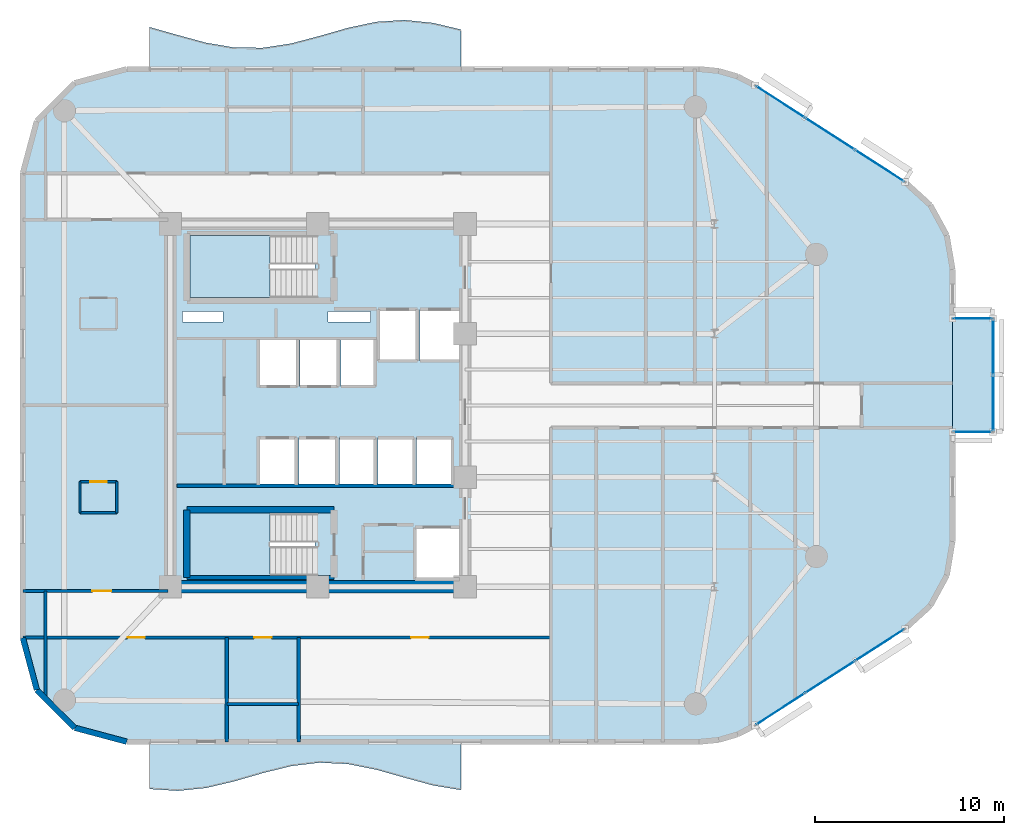
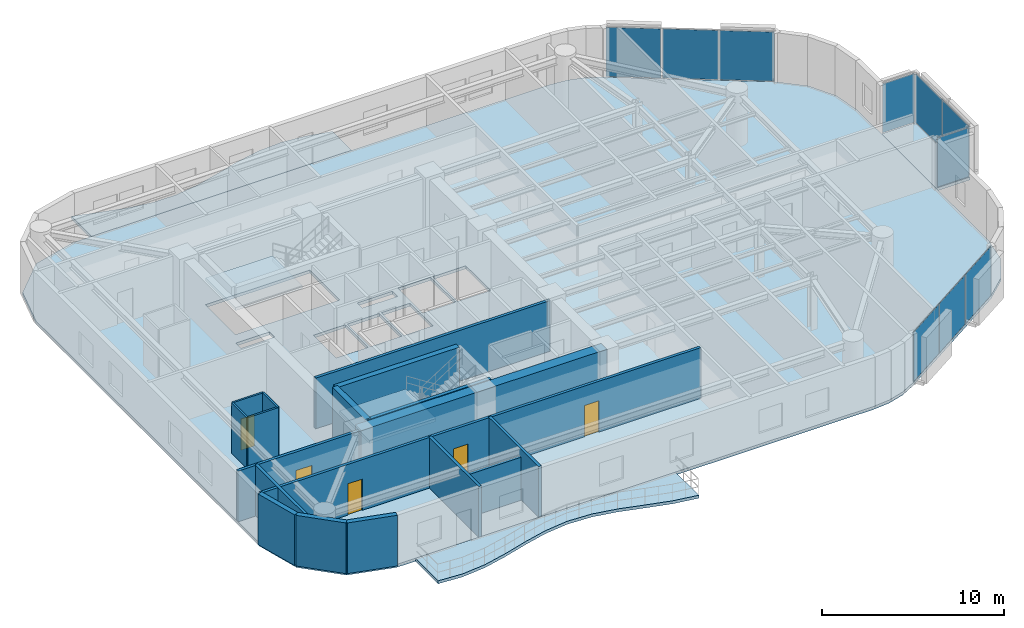
# One storey, part 7 of 13: 18 walls, 10 plates, 6 slabs, 5 doors, 5 openings, 7 elements without a shape of their own.
"""IFC4 building model written with IfcOpenShell, lengths in metres."""

from ifc_helpers import new_model, si_unit, direction, frame, frame_2d, origin, origin_2d, place, context, subcontext, project, spatial, polyline, rectangle, outline, extrude, material, layer, layer_set, type_object, element, fill, aggregate, save


model = new_model("IFC4")

# Units and contexts
model_context = context("Model", 3, precision=1e-05, world=origin(), true_north=direction((0.0, 1.0)))
body_context = subcontext(model_context, "Body", "Model", "MODEL_VIEW")
ifc_project = project(units=[si_unit("LENGTHUNIT", "METRE"), si_unit("AREAUNIT", "SQUARE_METRE"), si_unit("VOLUMEUNIT", "CUBIC_METRE"), si_unit("PLANEANGLEUNIT", "RADIAN"), si_unit("MASSUNIT", "GRAM", prefix="KILO")], contexts=[model_context])

# Site, building, storey
site_placement = place(None, origin())
site = spatial("IfcSite", under=ifc_project, at=site_placement, CompositionType="ELEMENT")
building_placement = place(site_placement, origin())
building = spatial("IfcBuilding", under=site, at=building_placement, Name="An Khanh Terracotta Commons", CompositionType="ELEMENT")
storey_placement = place(building_placement, frame((0.0, 0.0, 183.39990234375)))
storey = spatial("IfcBuildingStorey", under=building, at=storey_placement, Name="L48", CompositionType="ELEMENT", Elevation=183.39990234375)

# Curtain wall, plates
ifc_material_1 = material(Name="Anodised Aluminium 6063-T6", Category="aluminium")
ifc_layer_1 = layer(ifc_material_1, 0.2099609375, Name="Anodised Aluminium 6063-T6")
ifc_layer_set_1 = layer_set([ifc_layer_1], Name="Anodised Aluminium 6063-T6")
curtain_wall_type_1 = type_object("IfcCurtainWallType", Name="CW-SYS-03", PredefinedType="USERDEFINED", material=ifc_layer_set_1)
curtain_wall_1_placement = place(storey_placement, origin())
curtain_wall_1 = element("IfcCurtainWall", 1, at=curtain_wall_1_placement, inside=storey, type_object=curtain_wall_type_1, Name="L48 CW-03 Unitised Curtain Wall CW-L48-08", ObjectType="UNITISED CURTAIN WALL", PredefinedType="USERDEFINED")
ifc_material_2 = material(Name="Acoustic Laminated Low-E Glazing", Category="glass")
ifc_layer_2 = layer(ifc_material_2, 0.035888671875, Name="Acoustic Laminated Low-E Glazing")
ifc_layer_set_2 = layer_set([ifc_layer_2], Name="Acoustic Laminated Low-E Glazing")
plate_type_1 = type_object("IfcPlateType", Name="CWP-IGU-36", PredefinedType="CURTAIN_PANEL", material=ifc_layer_set_2)
plate_1_placement = place(storey_placement, frame((53.894287109375, 7.935546875, 0.05029296875), z_axis=(0.0, 0.0, 1.0), x_axis=(0.840702081986, 0.541497931062, 0.0)))
plate_1 = element("IfcPlate", 2, at=plate_1_placement, type_object=plate_type_1, Name="CW-03 panel 1.1", PredefinedType="CURTAIN_PANEL", context=body_context, shape_type="SweptSolid", body=[
    extrude(rectangle(XDim=3.034423828125, YDim=0.035888671875, at=origin_2d()), origin(), (0.0, 0.0, 1.0), 3.300048828125),
])
plate_2_placement = place(storey_placement, frame((56.51904296875, 9.6259765625, 0.05029296875), z_axis=(0.0, 0.0, 1.0), x_axis=(0.840702081986, 0.541497931062, 0.0)))
plate_2 = element("IfcPlate", 3, at=plate_2_placement, type_object=plate_type_1, Name="CW-03 panel 2.1", PredefinedType="CURTAIN_PANEL", context=body_context, shape_type="SweptSolid", body=[
    extrude(rectangle(XDim=3.0693359375, YDim=0.035888671875, at=origin_2d()), origin(), (0.0, 0.0, 1.0), 3.300048828125),
])
plate_3_placement = place(storey_placement, frame((59.1435546875, 11.31640625, 0.05029296875), z_axis=(0.0, 0.0, 1.0), x_axis=(0.840702081986, 0.541497931062, 0.0)))
plate_3 = element("IfcPlate", 4, at=plate_3_placement, type_object=plate_type_1, Name="CW-03 panel 3.1", PredefinedType="CURTAIN_PANEL", context=body_context, shape_type="SweptSolid", body=[
    extrude(rectangle(XDim=3.034423828125, YDim=0.035888671875, at=origin_2d()), origin(), (0.0, 0.0, 1.0), 3.300048828125),
])
aggregate(curtain_wall_1, [plate_1, plate_2, plate_3])

curtain_wall_2_placement = place(storey_placement, origin())
curtain_wall_2 = element("IfcCurtainWall", 5, at=curtain_wall_2_placement, inside=storey, type_object=curtain_wall_type_1, Name="L48 CW-03 Unitised Curtain Wall CW-L48-16", ObjectType="UNITISED CURTAIN WALL", PredefinedType="USERDEFINED")
plate_4_placement = place(storey_placement, frame((59.1435546875, 36.68359375, 0.05029296875), z_axis=(0.0, 0.0, 1.0), x_axis=(-0.840702081986, 0.541497931062, 0.0)))
plate_4 = element("IfcPlate", 6, at=plate_4_placement, type_object=plate_type_1, Name="CW-03 panel 1.1", PredefinedType="CURTAIN_PANEL", context=body_context, shape_type="SweptSolid", body=[
    extrude(rectangle(XDim=3.034423828125, YDim=0.035888671875, at=origin_2d()), origin(), (0.0, 0.0, 1.0), 3.300048828125),
])
plate_5_placement = place(storey_placement, frame((56.51904296875, 38.3740234375, 0.05029296875), z_axis=(0.0, 0.0, 1.0), x_axis=(-0.840702081986, 0.541497931062, 0.0)))
plate_5 = element("IfcPlate", 7, at=plate_5_placement, type_object=plate_type_1, Name="CW-03 panel 2.1", PredefinedType="CURTAIN_PANEL", context=body_context, shape_type="SweptSolid", body=[
    extrude(rectangle(XDim=3.0693359375, YDim=0.035888671875, at=origin_2d()), origin(), (0.0, 0.0, 1.0), 3.300048828125),
])
plate_6_placement = place(storey_placement, frame((53.894287109375, 40.064453125, 0.05029296875), z_axis=(0.0, 0.0, 1.0), x_axis=(-0.840702081986, 0.541497931062, 0.0)))
plate_6 = element("IfcPlate", 8, at=plate_6_placement, type_object=plate_type_1, Name="CW-03 panel 3.1", PredefinedType="CURTAIN_PANEL", context=body_context, shape_type="SweptSolid", body=[
    extrude(rectangle(XDim=3.034423828125, YDim=0.035888671875, at=origin_2d()), origin(), (0.0, 0.0, 1.0), 3.300048828125),
])
aggregate(curtain_wall_2, [plate_4, plate_5, plate_6])

ifc_layer_3 = layer(ifc_material_1, 0.239990234375, Name="Anodised Aluminium 6063-T6")
ifc_layer_set_3 = layer_set([ifc_layer_3], Name="Anodised Aluminium 6063-T6")
curtain_wall_type_2 = type_object("IfcCurtainWallType", Name="CW-SYS-04", PredefinedType="USERDEFINED", material=ifc_layer_set_3)
curtain_wall_3_placement = place(storey_placement, origin())
curtain_wall_3 = element("IfcCurtainWall", 9, at=curtain_wall_3_placement, inside=storey, type_object=curtain_wall_type_2, Name="L48 CW-04 Unitised Curtain Wall CW-L48-EBOX-1", ObjectType="UNITISED CURTAIN WALL", PredefinedType="USERDEFINED")
ifc_material_3 = material(Name="Triple-Silver Sky-Lobby Glazing", Category="glass")
ifc_layer_4 = layer(ifc_material_3, 0.0400390625, Name="Triple-Silver Sky-Lobby Glazing")
ifc_layer_set_4 = layer_set([ifc_layer_4], Name="Triple-Silver Sky-Lobby Glazing")
plate_type_2 = type_object("IfcPlateType", Name="CWP-IGU-40", PredefinedType="CURTAIN_PANEL", material=ifc_layer_set_4)
plate_7_placement = place(storey_placement, frame((65.14990234375, 24.1162109375, 0.06005859375), z_axis=(0.0, 0.0, 1.0), x_axis=(0.0, 1.0, 0.0)))
plate_7 = element("IfcPlate", 10, at=plate_7_placement, type_object=plate_type_2, Name="CW-04 panel 1.1", PredefinedType="CURTAIN_PANEL", context=body_context, shape_type="SweptSolid", body=[
    extrude(rectangle(XDim=2.902587890625, YDim=0.0400390625, at=origin_2d()), origin(), (0.0, 0.0, 1.0), 3.280029296875),
])
plate_8_placement = place(storey_placement, frame((65.14990234375, 27.083740234375, 0.06005859375), z_axis=(0.0, 0.0, 1.0), x_axis=(0.0, 1.0, 0.0)))
plate_8 = element("IfcPlate", 11, at=plate_8_placement, type_object=plate_type_2, Name="CW-04 panel 2.1", PredefinedType="CURTAIN_PANEL", context=body_context, shape_type="SweptSolid", body=[
    extrude(rectangle(XDim=2.902587890625, YDim=0.0400390625, at=origin_2d()), origin(), (0.0, 0.0, 1.0), 3.280029296875),
])
aggregate(curtain_wall_3, [plate_7, plate_8])

# Curtain wall, plate
curtain_wall_4_placement = place(storey_placement, origin())
curtain_wall_4 = element("IfcCurtainWall", 12, at=curtain_wall_4_placement, inside=storey, type_object=curtain_wall_type_2, Name="L48 CW-04 Unitised Curtain Wall CW-L48-EBOX-2", ObjectType="UNITISED CURTAIN WALL", PredefinedType="USERDEFINED")
plate_9_placement = place(storey_placement, frame((64.074951171875, 22.60009765625, 0.06005859375), z_axis=(0.0, 0.0, 1.0), x_axis=(1.0, 0.0, 0.0)))
plate_9 = element("IfcPlate", 13, at=plate_9_placement, type_object=plate_type_2, Name="CW-04 panel 1.1", PredefinedType="CURTAIN_PANEL", context=body_context, shape_type="SweptSolid", body=[
    extrude(rectangle(XDim=2.02001953125, YDim=0.0400390625, at=origin_2d()), origin(), (0.0, 0.0, 1.0), 3.280029296875),
])
aggregate(curtain_wall_4, [plate_9])

curtain_wall_5_placement = place(storey_placement, origin())
curtain_wall_5 = element("IfcCurtainWall", 14, at=curtain_wall_5_placement, inside=storey, type_object=curtain_wall_type_2, Name="L48 CW-04 Unitised Curtain Wall CW-L48-EBOX-3", ObjectType="UNITISED CURTAIN WALL", PredefinedType="USERDEFINED")
plate_10_placement = place(storey_placement, frame((64.074951171875, 28.60009765625, 0.06005859375), z_axis=(0.0, 0.0, 1.0), x_axis=(-1.0, 0.0, 0.0)))
plate_10 = element("IfcPlate", 15, at=plate_10_placement, type_object=plate_type_2, Name="CW-04 panel 1.1", PredefinedType="CURTAIN_PANEL", context=body_context, shape_type="SweptSolid", body=[
    extrude(rectangle(XDim=2.02001953125, YDim=0.0400390625, at=origin_2d()), origin(), (0.0, 0.0, 1.0), 3.280029296875),
])
aggregate(curtain_wall_5, [plate_10])

# Slabs
ifc_material_4 = material(Name="Concrete C40/50", Category="concrete")
ifc_layer_5 = layer(ifc_material_4, 0.199951171875, Name="Concrete C40/50")
ifc_layer_set_5 = layer_set([ifc_layer_5], Name="Concrete C40/50")
slab_type_1 = type_object("IfcSlabType", Name="SLAB-BALC-200", PredefinedType="FLOOR", material=ifc_layer_set_5)
slab_1_placement = place(storey_placement, frame((0.0, 0.0, -0.199951171875)))
element("IfcSlab", 16, at=slab_1_placement, inside=storey, type_object=slab_type_1, Name="L48 S Sinusoidal Wave Balcony Slab", PredefinedType="FLOOR", context=body_context, shape_type="SweptSolid", body=[
    extrude(outline(polyline([(20.5, 6.199951171875), (20.5, 3.699951171875), (22.0, 3.60205078125), (23.5, 3.7548828125), (25.0, 4.10888671875), (26.5, 4.5439453125), (28.0, 4.9140625), (29.5, 5.093994140625), (31.0, 5.02294921875), (32.5, 4.72509765625), (34.0, 4.301025390625), (35.5, 3.89306640625), (37.0, 3.639892578125), (37.0, 6.199951171875), (20.5, 6.199951171875)])), origin(), (0.0, 0.0, 1.0), 0.199951171875),
])
slab_2_placement = place(storey_placement, frame((0.0, 0.0, -0.199951171875)))
element("IfcSlab", 17, at=slab_2_placement, inside=storey, type_object=slab_type_1, Name="L48 N Sinusoidal Wave Balcony Slab", PredefinedType="FLOOR", context=body_context, shape_type="SweptSolid", body=[
    extrude(outline(polyline([(37.0, 41.800048828125), (37.0, 43.89111328125), (35.5, 44.2451171875), (34.0, 44.39794921875), (32.5, 44.300048828125), (31.0, 43.98193359375), (29.5, 43.552001953125), (28.0, 43.155029296875), (26.5, 42.926025390625), (25.0, 42.93994140625), (23.5, 43.193115234375), (22.0, 43.60107421875), (20.5, 44.02490234375), (20.5, 41.800048828125), (37.0, 41.800048828125)])), origin(), (0.0, 0.0, 1.0), 0.199951171875),
])

# Stair, slab
ifc_material_5 = material(Name="Precast concrete C40/50", Category="concrete")
stair_type = type_object("IfcStairType", Name="STAIR-CORE-1550", PredefinedType="HALF_TURN_STAIR", material=ifc_material_5)
stair_1_placement = place(storey_placement, origin())
stair_1 = element("IfcStair", 18, at=stair_1_placement, inside=storey, type_object=stair_type, Name="L48 Core Smokeproof Exit Stair ST-01", PredefinedType="HALF_TURN_STAIR")
ifc_layer_6 = layer(ifc_material_4, 0.18994140625, Name="Concrete C40/50")
ifc_layer_set_6 = layer_set([ifc_layer_6], Name="Concrete C40/50")
slab_type_2 = type_object("IfcSlabType", Name="SLAB-LANDING-190", PredefinedType="LANDING", material=ifc_layer_set_6)
slab_3_placement = place(storey_placement, frame((0.0, 0.0, 1.60009765625)))
slab_3 = element("IfcSlab", 19, at=slab_3_placement, type_object=slab_type_2, Name="ST-01 landing 1", PredefinedType="LANDING", context=body_context, shape_type="SweptSolid", body=[
    extrude(outline(polyline([(26.889892578125, 33.0), (22.64990234375, 33.0), (22.64990234375, 29.699951171875), (26.889892578125, 29.699951171875), (26.889892578125, 33.0)])), origin(), (0.0, 0.0, 1.0), 0.199951171875),
])
aggregate(stair_1, [slab_3])

stair_2_placement = place(storey_placement, origin())
stair_2 = element("IfcStair", 20, at=stair_2_placement, inside=storey, type_object=stair_type, Name="L48 Core Smokeproof Exit Stair ST-02", PredefinedType="HALF_TURN_STAIR")
slab_4_placement = place(storey_placement, frame((0.0, 0.0, 1.60009765625)))
slab_4 = element("IfcSlab", 21, at=slab_4_placement, type_object=slab_type_2, Name="ST-02 landing 1", PredefinedType="LANDING", context=body_context, shape_type="SweptSolid", body=[
    extrude(outline(polyline([(26.889892578125, 18.300048828125), (22.64990234375, 18.300048828125), (22.64990234375, 15.0), (26.889892578125, 15.0), (26.889892578125, 18.300048828125)])), origin(), (0.0, 0.0, 1.0), 0.199951171875),
])
aggregate(stair_2, [slab_4])

# Slabs
ifc_layer_7 = layer(ifc_material_4, 0.199951171875, Name="Concrete C40/50")
ifc_layer_set_7 = layer_set([ifc_layer_7], Name="Concrete C40/50")
slab_type_3 = type_object("IfcSlabType", Name="SLAB-TYP-200", PredefinedType="FLOOR", material=ifc_layer_set_7)
slab_5_placement = place(storey_placement, frame((0.0, 0.0, -0.199951171875)))
element("IfcSlab", 22, at=slab_5_placement, inside=storey, type_object=slab_type_3, Name="L48 Structural Floor Slab", PredefinedType="FLOOR", context=body_context, shape_type="SweptSolid", body=[
    extrude(outline(polyline([(13.800048828125, 11.699951171875), (14.537109375, 8.949951171875), (16.550048828125, 6.93701171875), (19.300048828125, 6.199951171875), (49.58203125, 6.199951171875), (50.625, 6.300048828125), (51.6298828125, 6.594970703125), (52.56005859375, 7.075927734375), (60.47802734375, 12.176025390625), (61.825927734375, 13.403076171875), (62.697998046875, 15.0029296875), (63.0, 16.800048828125), (63.0, 31.199951171875), (62.697998046875, 32.9970703125), (61.825927734375, 34.596923828125), (60.47802734375, 35.823974609375), (52.56005859375, 40.924072265625), (51.6298828125, 41.405029296875), (50.625, 41.699951171875), (49.58203125, 41.800048828125), (19.300048828125, 41.800048828125), (16.550048828125, 41.06298828125), (14.537109375, 39.050048828125), (13.800048828125, 36.300048828125), (13.800048828125, 11.699951171875)]), holes=[polyline([(22.64990234375, 29.699951171875), (29.27001953125, 29.699951171875), (29.27001953125, 33.0), (22.64990234375, 33.0), (22.64990234375, 29.699951171875)]), polyline([(22.64990234375, 15.0), (29.27001953125, 15.0), (29.27001953125, 18.300048828125), (22.64990234375, 18.300048828125), (22.64990234375, 15.0)]), polyline([(32.60009765625, 26.35009765625), (34.679931640625, 26.35009765625), (34.679931640625, 29.080078125), (32.60009765625, 29.080078125), (32.60009765625, 26.35009765625)]), polyline([(34.820068359375, 26.35009765625), (36.89990234375, 26.35009765625), (36.89990234375, 29.080078125), (34.820068359375, 29.080078125), (34.820068359375, 26.35009765625)]), polyline([(34.550048828125, 14.800048828125), (36.89990234375, 14.800048828125), (36.89990234375, 17.550048828125), (34.550048828125, 17.550048828125), (34.550048828125, 14.800048828125)]), polyline([(26.320068359375, 25.0), (28.340087890625, 25.0), (28.340087890625, 27.5), (26.320068359375, 27.5), (26.320068359375, 25.0)]), polyline([(28.47998046875, 25.0), (30.5, 25.0), (30.5, 27.5), (28.47998046875, 27.5), (28.47998046875, 25.0)]), polyline([(26.280029296875, 19.800048828125), (28.280029296875, 19.800048828125), (28.280029296875, 22.300048828125), (26.280029296875, 22.300048828125), (26.280029296875, 19.800048828125)]), polyline([(28.419921875, 19.800048828125), (30.419921875, 19.800048828125), (30.419921875, 22.300048828125), (28.419921875, 22.300048828125), (28.419921875, 19.800048828125)]), polyline([(30.639892578125, 25.0), (32.4599609375, 25.0), (32.4599609375, 27.5), (30.639892578125, 27.5), (30.639892578125, 25.0)]), polyline([(30.56005859375, 19.800048828125), (32.4599609375, 19.800048828125), (32.4599609375, 22.300048828125), (30.56005859375, 22.300048828125), (30.56005859375, 19.800048828125)]), polyline([(32.60009765625, 19.800048828125), (34.5, 19.800048828125), (34.5, 22.300048828125), (32.60009765625, 22.300048828125), (32.60009765625, 19.800048828125)]), polyline([(34.639892578125, 19.800048828125), (36.5400390625, 19.800048828125), (36.5400390625, 22.300048828125), (34.639892578125, 22.300048828125), (34.639892578125, 19.800048828125)]), polyline([(22.25, 28.419921875), (24.39990234375, 28.419921875), (24.39990234375, 28.97998046875), (22.25, 28.97998046875), (22.25, 28.419921875)]), polyline([(29.949951171875, 28.419921875), (32.199951171875, 28.419921875), (32.199951171875, 28.97998046875), (29.949951171875, 28.97998046875), (29.949951171875, 28.419921875)])]), origin(), (0.0, 0.0, 1.0), 0.199951171875),
])
slab_6_placement = place(storey_placement, frame((0.0, 0.0, -0.199951171875)))
element("IfcSlab", 23, at=slab_6_placement, inside=storey, type_object=slab_type_3, Name="L48 Shifted Social Kitchen Box Floor Slab", PredefinedType="FLOOR", context=body_context, shape_type="SweptSolid", body=[
    extrude(outline(polyline([(63.0, 22.60009765625), (65.14990234375, 22.60009765625), (65.14990234375, 28.60009765625), (63.0, 28.60009765625), (63.0, 22.60009765625)])), origin(), (0.0, 0.0, 1.0), 0.199951171875),
])

# Walls
ifc_material_6 = material(Name="Concrete C60/75", Category="concrete")
ifc_layer_8 = layer(ifc_material_6, 0.64990234375, Name="Concrete C60/75")
ifc_layer_set_8 = layer_set([ifc_layer_8], Name="Concrete C60/75")
wall_type_1 = type_object("IfcWallType", Name="WALL-CORE-650", PredefinedType="SHEAR", material=ifc_layer_set_8)
wall_1_placement = place(storey_placement, frame((37.199951171875, 14.39990234375, 0.0), z_axis=(0.0, 0.0, 1.0), x_axis=(-1.0, 0.0, 0.0)))
element("IfcWall", 24, at=wall_1_placement, inside=storey, type_object=wall_type_1, Name="L48 Core Wall CWALL-L48-S", PredefinedType="SHEAR", context=body_context, shape_type="SweptSolid", body=[
    extrude(rectangle(XDim=15.599853515625, YDim=0.64990234375, at=frame_2d((7.7998046875, 0.0))), origin(), (0.0, 0.0, 1.0), 3.400146484375),
])
ifc_material_7 = material(Name="Fire-Rated Gypsum Board on Steel Stud", Category="steel")
ifc_layer_9 = layer(ifc_material_7, 0.179931640625, Name="Fire-Rated Gypsum Board on Steel Stud")
ifc_layer_set_9 = layer_set([ifc_layer_9], Name="Fire-Rated Gypsum Board on Steel Stud")
wall_type_2 = type_object("IfcWallType", Name="WALL-CORR-180", PredefinedType="PARTITIONING", material=ifc_layer_set_9)
wall_2_placement = place(storey_placement, frame((21.949951171875, 19.760009765625, 0.0), z_axis=(0.0, 0.0, 1.0), x_axis=(1.0, 0.0, 0.0)))
element("IfcWall", 25, at=wall_2_placement, inside=storey, type_object=wall_type_2, Name="L48 Core Wall SVW-L48-N", PredefinedType="PARTITIONING", context=body_context, shape_type="SweptSolid", body=[
    extrude(rectangle(XDim=14.8701171875, YDim=0.179931640625, at=frame_2d((7.43505859375, 0.0))), origin(), (0.0, 0.0, 1.0), 3.400146484375),
])
wall_3_placement = place(storey_placement, frame((24.60009765625, 8.199951171875, 0.0), z_axis=(0.0, 0.0, 1.0), x_axis=(1.0, 0.0, 0.0)))
element("IfcWall", 26, at=wall_3_placement, inside=storey, type_object=wall_type_2, Name="L48 Interior Partition IW-L48-E001", PredefinedType="PARTITIONING", context=body_context, shape_type="SweptSolid", body=[
    extrude(rectangle(XDim=3.7998046875, YDim=0.179931640625, at=frame_2d((1.89990234375, 0.0))), origin(), (0.0, 0.0, 1.0), 2.882080078125),
])

# Wall, openings, doors
wall_4_placement = place(storey_placement, frame((13.800048828125, 11.719970703125, 0.0), z_axis=(0.0, 0.0, 1.0), x_axis=(1.0, 0.0, 0.0)))
wall_4 = element("IfcWall", 27, at=wall_4_placement, inside=storey, type_object=wall_type_2, Name="L48 Interior Partition IW-L48-E002", PredefinedType="PARTITIONING", context=body_context, shape_type="SweptSolid", body=[
    extrude(rectangle(XDim=27.949951171875, YDim=0.179931640625, at=frame_2d((13.97509765625, 0.0))), origin(), (0.0, 0.0, 1.0), 3.400146484375),
])
opening_1_placement = place(wall_4_placement, frame((12.239990234375, 0.0, 0.0)))
opening_1 = element("IfcOpeningElement", 28, at=opening_1_placement, cuts=wall_4, Name="Opening D-RM", PredefinedType="OPENING", context=body_context, shape_type="SweptSolid", body=[
    extrude(rectangle(XDim=0.919921875, YDim=2.10009765625, at=frame_2d((0.4599609375, 1.050048828125))), frame((0.0, 0.099853515625, 0.0), z_axis=(0.0, -1.0, 0.0), x_axis=(1.0, 0.0, 0.0)), (0.0, 0.0, 1.0), 0.199951171875),
])
opening_2_placement = place(wall_4_placement, frame((5.5400390625, 0.0, 0.0)))
opening_2 = element("IfcOpeningElement", 29, at=opening_2_placement, cuts=wall_4, Name="Opening D-RM", PredefinedType="OPENING", context=body_context, shape_type="SweptSolid", body=[
    extrude(rectangle(XDim=0.919921875, YDim=2.10009765625, at=frame_2d((0.4599609375, 1.050048828125))), frame((0.0, 0.099853515625, 0.0), z_axis=(0.0, -1.0, 0.0), x_axis=(1.0, 0.0, 0.0)), (0.0, 0.0, 1.0), 0.199951171875),
])
opening_3_placement = place(wall_4_placement, frame((20.554931640625, 0.0, 0.0)))
opening_3 = element("IfcOpeningElement", 30, at=opening_3_placement, cuts=wall_4, Name="Opening D-RM", PredefinedType="OPENING", context=body_context, shape_type="SweptSolid", body=[
    extrude(rectangle(XDim=0.919921875, YDim=2.10009765625, at=frame_2d((0.4599609375, 1.050048828125))), frame((0.0, 0.099853515625, 0.0), z_axis=(0.0, -1.0, 0.0), x_axis=(1.0, 0.0, 0.0)), (0.0, 0.0, 1.0), 0.199951171875),
])
ifc_material_8 = material(Name="Engineered Hardwood Timber Leaf", Category="wood")
door_type_1 = type_object("IfcDoorType", Name="DOOR-INT-920", OperationType="NOTDEFINED", PredefinedType="DOOR", material=ifc_material_8)
door_1_placement = place(opening_1_placement, origin())
door_1 = element("IfcDoor", 31, at=door_1_placement, inside=storey, type_object=door_type_1, Name="L48 HKP Housekeeping Linen Store Door", OperationType="SINGLE_SWING_LEFT", OverallHeight=2.10009765625, OverallWidth=0.919921875, PredefinedType="DOOR", context=body_context, shape_type="SweptSolid", body=[
    extrude(rectangle(XDim=0.919921875, YDim=2.10009765625, at=frame_2d((0.4599609375, 1.050048828125))), frame((0.0, 0.02490234375, 0.0), z_axis=(0.0, -1.0, 0.0), x_axis=(1.0, 0.0, 0.0)), (0.0, 0.0, 1.0), 0.050048828125),
])
fill(opening_1, door_1)
door_2_placement = place(opening_2_placement, origin())
door_2 = element("IfcDoor", 32, at=door_2_placement, inside=storey, type_object=door_type_1, Name="L48 SW1 Communal Kitchen and Dining Door", OperationType="SINGLE_SWING_RIGHT", OverallHeight=2.10009765625, OverallWidth=0.919921875, PredefinedType="DOOR", context=body_context, shape_type="SweptSolid", body=[
    extrude(rectangle(XDim=0.919921875, YDim=2.10009765625, at=frame_2d((0.4599609375, 1.050048828125))), frame((0.0, 0.02490234375, 0.0), z_axis=(0.0, -1.0, 0.0), x_axis=(1.0, 0.0, 0.0)), (0.0, 0.0, 1.0), 0.050048828125),
])
fill(opening_2, door_2)
door_3_placement = place(opening_3_placement, origin())
door_3 = element("IfcDoor", 33, at=door_3_placement, inside=storey, type_object=door_type_1, Name="L48 SWE Music Lounge Door", OperationType="SINGLE_SWING_LEFT", OverallHeight=2.10009765625, OverallWidth=0.919921875, PredefinedType="DOOR", context=body_context, shape_type="SweptSolid", body=[
    extrude(rectangle(XDim=0.919921875, YDim=2.10009765625, at=frame_2d((0.4599609375, 1.050048828125))), frame((0.0, 0.02490234375, 0.0), z_axis=(0.0, -1.0, 0.0), x_axis=(1.0, 0.0, 0.0)), (0.0, 0.0, 1.0), 0.050048828125),
])
fill(opening_3, door_3)

# Wall, opening, door
wall_5_placement = place(storey_placement, frame((13.800048828125, 14.179931640625, 0.0), z_axis=(0.0, 0.0, 1.0), x_axis=(1.0, 0.0, 0.0)))
wall_5 = element("IfcWall", 34, at=wall_5_placement, inside=storey, type_object=wall_type_2, Name="L48 Interior Partition IW-L48-E003", PredefinedType="PARTITIONING", context=body_context, shape_type="SweptSolid", body=[
    extrude(rectangle(XDim=7.679931640625, YDim=0.179931640625, at=frame_2d((3.83984375, 0.0))), origin(), (0.0, 0.0, 1.0), 3.400146484375),
])
opening_4_placement = place(wall_5_placement, frame((3.679931640625, 0.0, 0.0)))
opening_4 = element("IfcOpeningElement", 35, at=opening_4_placement, cuts=wall_5, Name="Opening D-UN", PredefinedType="OPENING", context=body_context, shape_type="SweptSolid", body=[
    extrude(rectangle(XDim=1.0, YDim=2.14990234375, at=frame_2d((0.5, 1.074951171875))), frame((0.0, 0.099853515625, 0.0), z_axis=(0.0, -1.0, 0.0), x_axis=(1.0, 0.0, 0.0)), (0.0, 0.0, 1.0), 0.199951171875),
])
ifc_material_9 = material(Name="Solid-Core Hardwood Acoustic Fire Door", Category="wood")
door_type_2 = type_object("IfcDoorType", Name="DOOR-UNIT-1000", OperationType="NOTDEFINED", PredefinedType="DOOR", material=ifc_material_9)
door_4_placement = place(opening_4_placement, origin())
door_4 = element("IfcDoor", 36, at=door_4_placement, inside=storey, type_object=door_type_2, Name="L48 WW1 Kitchenette and Studio Apartment Door", OperationType="SINGLE_SWING_RIGHT", OverallHeight=2.14990234375, OverallWidth=1.0, PredefinedType="DOOR", context=body_context, shape_type="SweptSolid", body=[
    extrude(rectangle(XDim=1.0, YDim=2.14990234375, at=frame_2d((0.5, 1.074951171875))), frame((0.0, 0.02490234375, 0.0), z_axis=(0.0, -1.0, 0.0), x_axis=(1.0, 0.0, 0.0)), (0.0, 0.0, 1.0), 0.050048828125),
])
fill(opening_4, door_4)

# Walls
wall_6_placement = place(storey_placement, frame((15.0, 8.487060546875, 0.0), z_axis=(0.0, 0.0, 1.0), x_axis=(0.0, 1.0, 0.0)))
element("IfcWall", 37, at=wall_6_placement, inside=storey, type_object=wall_type_2, Name="L48 Interior Partition IW-L48-E010", PredefinedType="PARTITIONING", context=body_context, shape_type="SweptSolid", body=[
    extrude(rectangle(XDim=5.69287109375, YDim=0.179931640625, at=frame_2d((2.846435546875, 0.0))), origin(), (0.0, 0.0, 1.0), 3.400146484375),
])
for number, where, z_axis, x_axis, name in (
    (38, (24.60009765625, 6.199951171875, 0.0), (0.0, 0.0, 1.0), (0.0, 1.0, 0.0), "L48 Interior Partition IW-L48-E012"),
    (39, (28.39990234375, 6.199951171875, 0.0), (0.0, 0.0, 1.0), (0.0, 1.0, 0.0), "L48 Interior Partition IW-L48-E015"),
):
    element("IfcWall", number, at=place(storey_placement, frame(where, z_axis=z_axis, x_axis=x_axis)), inside=storey, type_object=wall_type_2, Name=name, PredefinedType="PARTITIONING", context=body_context, shape_type="SweptSolid", body=[
        extrude(rectangle(XDim=5.52001953125, YDim=0.179931640625, at=frame_2d((2.760009765625, 0.0))), origin(), (0.0, 0.0, 1.0), 3.400146484375),
    ])
ifc_layer_10 = layer(ifc_material_5, 0.300048828125, Name="Precast concrete C40/50")
ifc_layer_set_10 = layer_set([ifc_layer_10], Name="Precast concrete C40/50")
wall_type_3 = type_object("IfcWallType", Name="WALL-EXT-300", PredefinedType="SOLIDWALL", material=ifc_layer_set_10)
wall_7_placement = place(storey_placement, frame((13.800048828125, 11.699951171875, 0.0), z_axis=(0.0, 0.0, 1.0), x_axis=(0.258884674387, -0.965908238586, 0.0)))
element("IfcWall", 40, at=wall_7_placement, inside=storey, type_object=wall_type_3, Name="L48 Insulated Terracotta Exterior Wall 1", PredefinedType="SOLIDWALL", context=body_context, shape_type="SweptSolid", body=[
    extrude(rectangle(XDim=2.84716796875, YDim=0.300048828125, at=frame_2d((1.423583984375, 0.0))), origin(), (0.0, 0.0, 1.0), 3.400146484375),
])
wall_8_placement = place(storey_placement, frame((14.537109375, 8.949951171875, 0.0), z_axis=(0.0, 0.0, 1.0), x_axis=(0.707106781187, -0.707106781187, 0.0)))
element("IfcWall", 41, at=wall_8_placement, inside=storey, type_object=wall_type_3, Name="L48 Insulated Terracotta Exterior Wall 2", PredefinedType="SOLIDWALL", context=body_context, shape_type="SweptSolid", body=[
    extrude(rectangle(XDim=2.8466796875, YDim=0.300048828125, at=frame_2d((1.42333984375, 0.0))), origin(), (0.0, 0.0, 1.0), 3.400146484375),
])
wall_9_placement = place(storey_placement, frame((16.550048828125, 6.93701171875, 0.0), z_axis=(0.0, 0.0, 1.0), x_axis=(0.965908238586, -0.258884674387, 0.0)))
element("IfcWall", 42, at=wall_9_placement, inside=storey, type_object=wall_type_3, Name="L48 Insulated Terracotta Exterior Wall 3", PredefinedType="SOLIDWALL", context=body_context, shape_type="SweptSolid", body=[
    extrude(rectangle(XDim=2.84716796875, YDim=0.300048828125, at=frame_2d((1.423583984375, 0.0))), origin(), (0.0, 0.0, 1.0), 3.400146484375),
])
ifc_material_10 = material(Name="Acoustic Double-Stud Gypsum and Mineral Wool")
ifc_layer_11 = layer(ifc_material_10, 0.219970703125, Name="Acoustic Double-Stud Gypsum and Mineral Wool")
ifc_layer_set_11 = layer_set([ifc_layer_11], Name="Acoustic Double-Stud Gypsum and Mineral Wool")
wall_type_4 = type_object("IfcWallType", Name="WALL-PARTY-220", PredefinedType="PARTITIONING", material=ifc_layer_set_11)
wall_10_placement = place(storey_placement, frame((22.47998046875, 14.889892578125, 0.0), z_axis=(0.0, 0.0, 1.0), x_axis=(1.0, 0.0, 0.0)))
element("IfcWall", 43, at=wall_10_placement, inside=storey, type_object=wall_type_4, Name="L48 Core Wall STW-L48-S-S", PredefinedType="PARTITIONING", context=body_context, shape_type="SweptSolid", body=[
    extrude(rectangle(XDim=7.7900390625, YDim=0.219970703125, at=frame_2d((3.89501953125, 0.0))), origin(), (0.0, 0.0, 1.0), 3.400146484375),
])
ifc_material_11 = material(Name="Concrete C50/60", Category="concrete")
ifc_layer_12 = layer(ifc_material_11, 0.35009765625, Name="Concrete C50/60")
ifc_layer_set_12 = layer_set([ifc_layer_12], Name="Concrete C50/60")
wall_type_5 = type_object("IfcWallType", Name="WALL-SHAFT-350", PredefinedType="SOLIDWALL", material=ifc_layer_set_12)
wall_11_placement = place(storey_placement, frame((22.47998046875, 18.469970703125, 0.0), z_axis=(0.0, 0.0, 1.0), x_axis=(1.0, 0.0, 0.0)))
element("IfcWall", 44, at=wall_11_placement, inside=storey, type_object=wall_type_5, Name="L48 Core Wall STW-L48-S-N", PredefinedType="SOLIDWALL", context=body_context, shape_type="SweptSolid", body=[
    extrude(rectangle(XDim=7.7900390625, YDim=0.35009765625, at=frame_2d((3.89501953125, 0.0))), origin(), (0.0, 0.0, 1.0), 3.400146484375),
])
wall_12_placement = place(storey_placement, frame((22.47998046875, 14.889892578125, 0.0), z_axis=(0.0, 0.0, 1.0), x_axis=(0.0, 1.0, 0.0)))
element("IfcWall", 45, at=wall_12_placement, inside=storey, type_object=wall_type_5, Name="L48 Core Wall STW-L48-S-W", PredefinedType="SOLIDWALL", context=body_context, shape_type="SweptSolid", body=[
    extrude(rectangle(XDim=3.580078125, YDim=0.35009765625, at=frame_2d((1.7900390625, 0.0))), origin(), (0.0, 0.0, 1.0), 3.400146484375),
])

# Wall, opening, door
ifc_material_12 = material(Name="Moisture-Resistant Cement Board Partition")
ifc_layer_13 = layer(ifc_material_12, 0.1201171875, Name="Moisture-Resistant Cement Board Partition")
ifc_layer_set_13 = layer_set([ifc_layer_13], Name="Moisture-Resistant Cement Board Partition")
wall_type_6 = type_object("IfcWallType", Name="WALL-WET-120", PredefinedType="PARTITIONING", material=ifc_layer_set_13)
wall_13_placement = place(storey_placement, frame((16.824951171875, 19.965087890625, 0.0), z_axis=(0.0, 0.0, 1.0), x_axis=(1.0, 0.0, 0.0)))
wall_13 = element("IfcWall", 46, at=wall_13_placement, inside=storey, type_object=wall_type_6, Name="L48 Interior Partition IW-L48-WW1-BN", PredefinedType="PARTITIONING", context=body_context, shape_type="SweptSolid", body=[
    extrude(rectangle(XDim=1.949951171875, YDim=0.1201171875, at=frame_2d((0.97509765625, 0.0))), origin(), (0.0, 0.0, 1.0), 3.400146484375),
])
opening_5_placement = place(wall_13_placement, frame((0.544921875, 0.0, 0.0)))
opening_5 = element("IfcOpeningElement", 47, at=opening_5_placement, cuts=wall_13, Name="Opening D-ENS", PredefinedType="OPENING", context=body_context, shape_type="SweptSolid", body=[
    extrude(rectangle(XDim=0.860107421875, YDim=2.10009765625, at=frame_2d((0.43017578125, 1.050048828125))), frame((0.0, 0.070068359375, 0.0), z_axis=(0.0, -1.0, 0.0), x_axis=(1.0, 0.0, 0.0)), (0.0, 0.0, 1.0), 0.14013671875),
])
ifc_material_13 = material(Name="Moisture-Resistant Hardwood Timber Leaf", Category="wood")
door_type_3 = type_object("IfcDoorType", Name="DOOR-BATH-860", OperationType="NOTDEFINED", PredefinedType="DOOR", material=ifc_material_13)
door_5_placement = place(opening_5_placement, origin())
door_5 = element("IfcDoor", 48, at=door_5_placement, inside=storey, type_object=door_type_3, Name="L48 Studio WW1 En-suite Door", OperationType="SINGLE_SWING_LEFT", OverallHeight=2.10009765625, OverallWidth=0.860107421875, PredefinedType="DOOR", context=body_context, shape_type="SweptSolid", body=[
    extrude(rectangle(XDim=0.860107421875, YDim=2.10009765625, at=frame_2d((0.43017578125, 1.050048828125))), frame((0.0, 0.02490234375, 0.0), z_axis=(0.0, -1.0, 0.0), x_axis=(1.0, 0.0, 0.0)), (0.0, 0.0, 1.0), 0.050048828125),
])
fill(opening_5, door_5)

# Walls
wall_14_placement = place(storey_placement, frame((18.77490234375, 18.31494140625, 0.0), z_axis=(0.0, 0.0, 1.0), x_axis=(-1.0, 0.0, 0.0)))
element("IfcWall", 49, at=wall_14_placement, inside=storey, type_object=wall_type_6, Name="L48 Interior Partition IW-L48-WW1-BS", PredefinedType="PARTITIONING", context=body_context, shape_type="SweptSolid", body=[
    extrude(rectangle(XDim=1.949951171875, YDim=0.1201171875, at=frame_2d((0.97509765625, 0.0))), origin(), (0.0, 0.0, 1.0), 3.400146484375),
])
for number, where, z_axis, x_axis, name in (
    (50, (16.824951171875, 19.965087890625, 0.0), (0.0, 0.0, 1.0), (0.0, -1.0, 0.0), "L48 Interior Partition IW-L48-WW1-BW"),
    (51, (18.77490234375, 18.31494140625, 0.0), (0.0, 0.0, 1.0), (0.0, 1.0, 0.0), "L48 Interior Partition IW-L48-WW1-BE"),
):
    element("IfcWall", number, at=place(storey_placement, frame(where, z_axis=z_axis, x_axis=x_axis)), inside=storey, type_object=wall_type_6, Name=name, PredefinedType="PARTITIONING", context=body_context, shape_type="SweptSolid", body=[
        extrude(rectangle(XDim=1.650146484375, YDim=0.1201171875, at=frame_2d((0.8251953125, 0.0))), origin(), (0.0, 0.0, 1.0), 3.400146484375),
    ])

save(model, "model.ifc")
